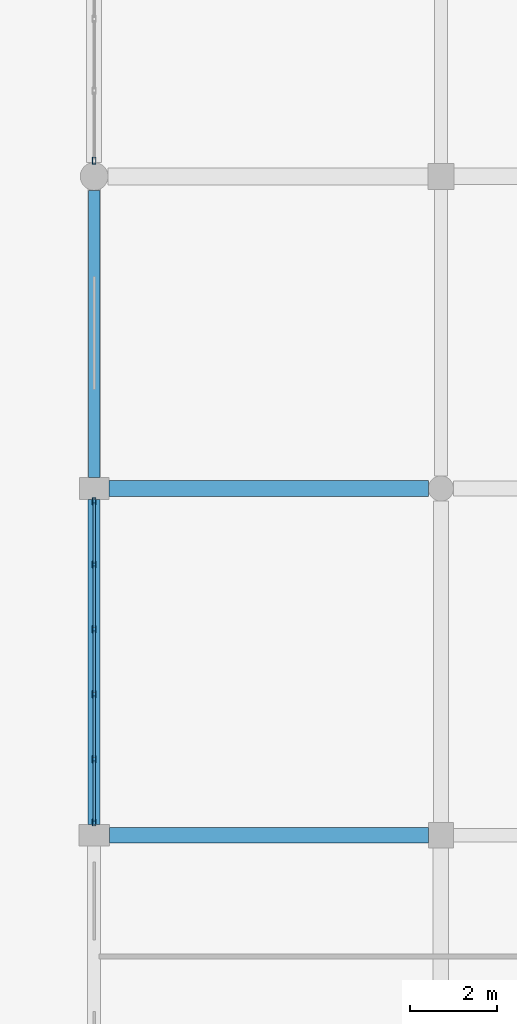
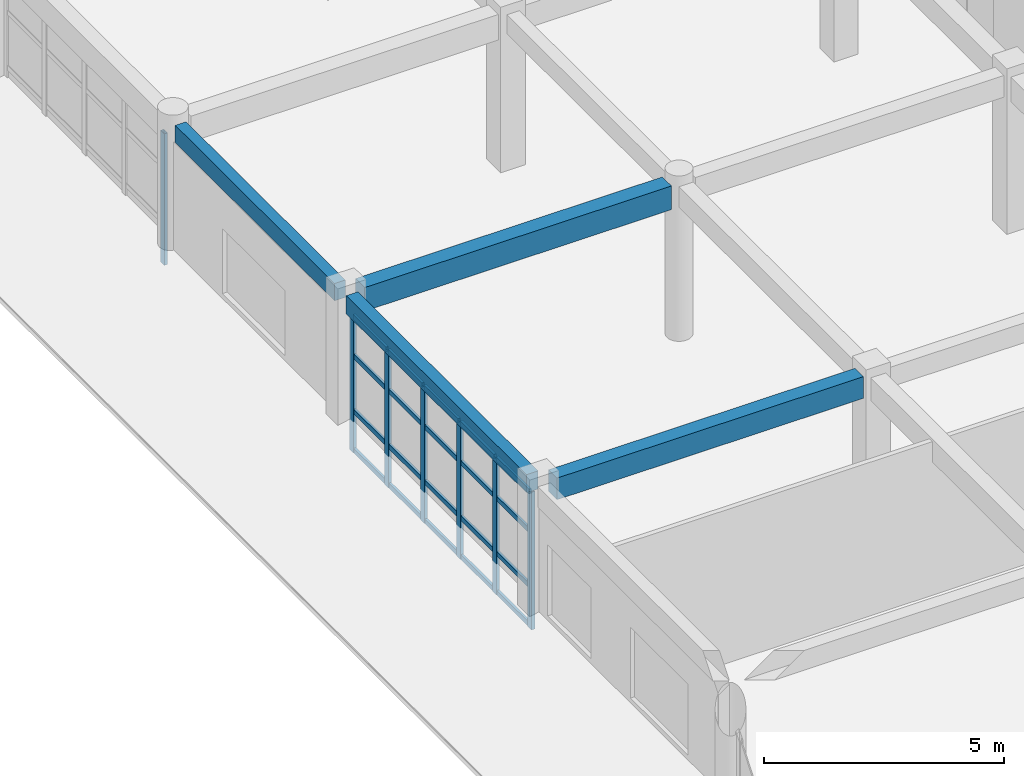
# One storey, part 76 of 121: 27 members, 4 beams, 2 elements without a shape of their own.
"""IFC4 building model written with IfcOpenShell, lengths in metres."""

from ifc_helpers import new_model, si_unit, direction, frame, origin, origin_2d, place, context, subcontext, project, spatial, rectangle, hollow_rectangle, extrude, material, material_profile, profile_set, type_object, element, aggregate, save


model = new_model("IFC4")

# Units and contexts
model_context = context("Model", 3, precision=1e-05, world=origin(), true_north=direction((0.0, 1.0)))
body_context = subcontext(model_context, "Body", "Model", "MODEL_VIEW")
ifc_project = project(units=[si_unit("LENGTHUNIT", "METRE"), si_unit("AREAUNIT", "SQUARE_METRE"), si_unit("VOLUMEUNIT", "CUBIC_METRE"), si_unit("PLANEANGLEUNIT", "RADIAN"), si_unit("MASSUNIT", "GRAM", prefix="KILO")], contexts=[model_context])

# Site, building, storey
site_placement = place(None, origin())
site = spatial("IfcSite", under=ifc_project, at=site_placement, CompositionType="ELEMENT")
building_placement = place(site_placement, origin())
building = spatial("IfcBuilding", under=site, at=building_placement, Name="Kharva Crest Polytechnic", CompositionType="ELEMENT")
storey_placement = place(building_placement, frame((0.0, 0.0, 13.199951171875)))
storey = spatial("IfcBuildingStorey", under=building, at=storey_placement, Name="L03", CompositionType="ELEMENT", Elevation=13.199951171875)

# Beams
ifc_material_1 = material(Name="Concrete C35/45", Category="concrete")
ifc_material_profile_1 = material_profile(ifc_material_1, rectangle(XDim=0.35009765625, YDim=0.550048828125, at=origin_2d()), Name="RECT 350 X 550")
ifc_profile_set_1 = profile_set([ifc_material_profile_1], Name="Concrete C35/45")
beam_type_1 = type_object("IfcBeamType", Name="BM-RC-350X550", PredefinedType="BEAM", material=ifc_profile_set_1)
beam_1_placement = place(storey_placement, frame((153.14990234375, 70.800048828125, 3.68505859375), z_axis=(1.0, 0.0, 0.0), x_axis=(0.0, 1.0, 0.0)))
element("IfcBeam", 1, at=beam_1_placement, inside=storey, type_object=beam_type_1, Name="L03 Beam K/20-21", PredefinedType="BEAM", context=body_context, shape_type="SweptSolid", body=[
    extrude(rectangle(XDim=0.35009765625, YDim=0.550048828125, at=origin_2d()), origin(), (0.0, 0.0, 1.0), 7.360107421875),
])
ifc_material_profile_2 = material_profile(ifc_material_1, rectangle(XDim=0.3798828125, YDim=0.60009765625, at=origin_2d()), Name="RECT 380 X 600")
ifc_profile_set_2 = profile_set([ifc_material_profile_2], Name="Concrete C35/45")
beam_type_2 = type_object("IfcBeamType", Name="BM-RC-380X600", PredefinedType="BEAM", material=ifc_profile_set_2)
beam_2_placement = place(storey_placement, frame((153.139892578125, 78.800048828125, 3.66015625), z_axis=(1.0, 0.0, 0.0), x_axis=(0.0, 1.0, 0.0)))
element("IfcBeam", 2, at=beam_2_placement, inside=storey, type_object=beam_type_2, Name="L03 Beam L/20-21", PredefinedType="BEAM", context=body_context, shape_type="SweptSolid", body=[
    extrude(rectangle(XDim=0.3798828125, YDim=0.60009765625, at=origin_2d()), origin(), (0.0, 0.0, 1.0), 7.3701171875),
])

# Curtain wall, member
ifc_material_2 = material(Name="Tempered insulated glass", Category="glass")
curtain_wall_type = type_object("IfcCurtainWallType", Name="CW-SYS-COURT", PredefinedType="USERDEFINED", material=ifc_material_2)
curtain_wall_1_placement = place(storey_placement, origin())
curtain_wall_1 = element("IfcCurtainWall", 3, at=curtain_wall_1_placement, inside=storey, type_object=curtain_wall_type, Name="L03 Glazed Curtain Wall CW-145", ObjectType="CURTAIN WALL", PredefinedType="USERDEFINED")
ifc_material_3 = material(Name="Steel S355", Category="steel")
ifc_material_profile_3 = material_profile(ifc_material_3, hollow_rectangle(XDim=0.080078125, YDim=0.159912109375, WallThickness=0.0048828125, at=origin_2d()), Name="RHS 160X80X5.0")
ifc_profile_set_3 = profile_set([ifc_material_profile_3], Name="Steel S355")
member_type_1 = type_object("IfcMemberType", Name="CWM-RHS160X80", PredefinedType="MULLION", material=ifc_profile_set_3)
member_1_placement = place(storey_placement, frame((152.800048828125, 86.364990234375, 0.0), z_axis=(0.0, 0.0, 1.0), x_axis=(1.0, 0.0, 0.0)))
member_1 = element("IfcMember", 4, at=member_1_placement, type_object=member_type_1, Name="CW-145 mullion 5", PredefinedType="MULLION", context=body_context, shape_type="SweptSolid", body=[
    extrude(hollow_rectangle(XDim=0.080078125, YDim=0.159912109375, WallThickness=0.0048828125, at=origin_2d()), origin(), (0.0, 0.0, 1.0), 3.340087890625),
])
aggregate(curtain_wall_1, [member_1])

# Curtain wall, members
curtain_wall_2_placement = place(storey_placement, origin())
curtain_wall_2 = element("IfcCurtainWall", 5, at=curtain_wall_2_placement, inside=storey, type_object=curtain_wall_type, Name="L03 Glazed Curtain Wall CW-146", ObjectType="CURTAIN WALL", PredefinedType="USERDEFINED")
member_2_placement = place(storey_placement, frame((152.800048828125, 78.5048828125, 0.0), z_axis=(0.0, 0.0, 1.0), x_axis=(1.0, 0.0, 0.0)))
member_2 = element("IfcMember", 6, at=member_2_placement, type_object=member_type_1, Name="CW-146 mullion 1", PredefinedType="MULLION", context=body_context, shape_type="SweptSolid", body=[
    extrude(hollow_rectangle(XDim=0.080078125, YDim=0.159912109375, WallThickness=0.0048828125, at=origin_2d()), origin(), (0.0, 0.0, 1.0), 3.5),
])
member_3_placement = place(storey_placement, frame((152.800048828125, 77.047119140625, 0.0), z_axis=(0.0, 0.0, 1.0), x_axis=(1.0, 0.0, 0.0)))
member_3 = element("IfcMember", 7, at=member_3_placement, type_object=member_type_1, Name="CW-146 mullion 2", PredefinedType="MULLION", context=body_context, shape_type="SweptSolid", body=[
    extrude(hollow_rectangle(XDim=0.080078125, YDim=0.159912109375, WallThickness=0.0048828125, at=origin_2d()), origin(), (0.0, 0.0, 1.0), 3.5),
])
member_4_placement = place(storey_placement, frame((152.800048828125, 75.549072265625, 0.0), z_axis=(0.0, 0.0, 1.0), x_axis=(1.0, 0.0, 0.0)))
member_4 = element("IfcMember", 8, at=member_4_placement, type_object=member_type_1, Name="CW-146 mullion 3", PredefinedType="MULLION", context=body_context, shape_type="SweptSolid", body=[
    extrude(hollow_rectangle(XDim=0.080078125, YDim=0.159912109375, WallThickness=0.0048828125, at=origin_2d()), origin(), (0.0, 0.0, 1.0), 3.5),
])
member_5_placement = place(storey_placement, frame((152.800048828125, 74.051025390625, 0.0), z_axis=(0.0, 0.0, 1.0), x_axis=(1.0, 0.0, 0.0)))
member_5 = element("IfcMember", 9, at=member_5_placement, type_object=member_type_1, Name="CW-146 mullion 4", PredefinedType="MULLION", context=body_context, shape_type="SweptSolid", body=[
    extrude(hollow_rectangle(XDim=0.080078125, YDim=0.159912109375, WallThickness=0.0048828125, at=origin_2d()), origin(), (0.0, 0.0, 1.0), 3.5),
])
member_6_placement = place(storey_placement, frame((152.800048828125, 72.552978515625, 0.0), z_axis=(0.0, 0.0, 1.0), x_axis=(1.0, 0.0, 0.0)))
member_6 = element("IfcMember", 10, at=member_6_placement, type_object=member_type_1, Name="CW-146 mullion 5", PredefinedType="MULLION", context=body_context, shape_type="SweptSolid", body=[
    extrude(hollow_rectangle(XDim=0.080078125, YDim=0.159912109375, WallThickness=0.0048828125, at=origin_2d()), origin(), (0.0, 0.0, 1.0), 3.5),
])
member_7_placement = place(storey_placement, frame((152.800048828125, 71.094970703125, 0.0), z_axis=(0.0, 0.0, 1.0), x_axis=(1.0, 0.0, 0.0)))
member_7 = element("IfcMember", 11, at=member_7_placement, type_object=member_type_1, Name="CW-146 mullion 6", PredefinedType="MULLION", context=body_context, shape_type="SweptSolid", body=[
    extrude(hollow_rectangle(XDim=0.080078125, YDim=0.159912109375, WallThickness=0.0048828125, at=origin_2d()), origin(), (0.0, 0.0, 1.0), 3.5),
])
ifc_material_profile_4 = material_profile(ifc_material_3, hollow_rectangle(XDim=0.06005859375, YDim=0.1201171875, WallThickness=0.00390625, at=origin_2d()), Name="RHS 120X60X4.0")
ifc_profile_set_4 = profile_set([ifc_material_profile_4], Name="Steel S355")
member_type_2 = type_object("IfcMemberType", Name="CWT-RHS120X60", PredefinedType="USERDEFINED", material=ifc_profile_set_4)
member_8_placement = place(storey_placement, frame((152.800048828125, 78.465087890625, 0.06005859375), z_axis=(0.0, -1.0, 0.0), x_axis=(1.0, 0.0, 0.0)))
member_8 = element("IfcMember", 12, at=member_8_placement, type_object=member_type_2, Name="CW-146 transom 1.1", ObjectType="TRANSOM", PredefinedType="USERDEFINED", context=body_context, shape_type="SweptSolid", body=[
    extrude(hollow_rectangle(XDim=0.06005859375, YDim=0.1201171875, WallThickness=0.00390625, at=origin_2d()), origin(), (0.0, 0.0, 1.0), 1.378173828125),
])
member_9_placement = place(storey_placement, frame((152.800048828125, 78.465087890625, 1.050048828125), z_axis=(0.0, -1.0, 0.0), x_axis=(1.0, 0.0, 0.0)))
member_9 = element("IfcMember", 13, at=member_9_placement, type_object=member_type_2, Name="CW-146 transom 1.2", ObjectType="TRANSOM", PredefinedType="USERDEFINED", context=body_context, shape_type="SweptSolid", body=[
    extrude(hollow_rectangle(XDim=0.06005859375, YDim=0.1201171875, WallThickness=0.00390625, at=origin_2d()), origin(), (0.0, 0.0, 1.0), 1.378173828125),
])
member_10_placement = place(storey_placement, frame((152.800048828125, 78.465087890625, 2.449951171875), z_axis=(0.0, -1.0, 0.0), x_axis=(1.0, 0.0, 0.0)))
member_10 = element("IfcMember", 14, at=member_10_placement, type_object=member_type_2, Name="CW-146 transom 1.3", ObjectType="TRANSOM", PredefinedType="USERDEFINED", context=body_context, shape_type="SweptSolid", body=[
    extrude(hollow_rectangle(XDim=0.06005859375, YDim=0.1201171875, WallThickness=0.00390625, at=origin_2d()), origin(), (0.0, 0.0, 1.0), 1.378173828125),
])
member_11_placement = place(storey_placement, frame((152.800048828125, 78.465087890625, 3.43994140625), z_axis=(0.0, -1.0, 0.0), x_axis=(1.0, 0.0, 0.0)))
member_11 = element("IfcMember", 15, at=member_11_placement, type_object=member_type_2, Name="CW-146 transom 1.4", ObjectType="TRANSOM", PredefinedType="USERDEFINED", context=body_context, shape_type="SweptSolid", body=[
    extrude(hollow_rectangle(XDim=0.06005859375, YDim=0.1201171875, WallThickness=0.00390625, at=origin_2d()), origin(), (0.0, 0.0, 1.0), 1.378173828125),
])
member_12_placement = place(storey_placement, frame((152.800048828125, 77.007080078125, 0.06005859375), z_axis=(0.0, -1.0, 0.0), x_axis=(1.0, 0.0, 0.0)))
member_12 = element("IfcMember", 16, at=member_12_placement, type_object=member_type_2, Name="CW-146 transom 2.1", ObjectType="TRANSOM", PredefinedType="USERDEFINED", context=body_context, shape_type="SweptSolid", body=[
    extrude(hollow_rectangle(XDim=0.06005859375, YDim=0.1201171875, WallThickness=0.00390625, at=origin_2d()), origin(), (0.0, 0.0, 1.0), 1.41796875),
])
member_13_placement = place(storey_placement, frame((152.800048828125, 77.007080078125, 1.050048828125), z_axis=(0.0, -1.0, 0.0), x_axis=(1.0, 0.0, 0.0)))
member_13 = element("IfcMember", 17, at=member_13_placement, type_object=member_type_2, Name="CW-146 transom 2.2", ObjectType="TRANSOM", PredefinedType="USERDEFINED", context=body_context, shape_type="SweptSolid", body=[
    extrude(hollow_rectangle(XDim=0.06005859375, YDim=0.1201171875, WallThickness=0.00390625, at=origin_2d()), origin(), (0.0, 0.0, 1.0), 1.41796875),
])
member_14_placement = place(storey_placement, frame((152.800048828125, 77.007080078125, 2.449951171875), z_axis=(0.0, -1.0, 0.0), x_axis=(1.0, 0.0, 0.0)))
member_14 = element("IfcMember", 18, at=member_14_placement, type_object=member_type_2, Name="CW-146 transom 2.3", ObjectType="TRANSOM", PredefinedType="USERDEFINED", context=body_context, shape_type="SweptSolid", body=[
    extrude(hollow_rectangle(XDim=0.06005859375, YDim=0.1201171875, WallThickness=0.00390625, at=origin_2d()), origin(), (0.0, 0.0, 1.0), 1.41796875),
])
member_15_placement = place(storey_placement, frame((152.800048828125, 77.007080078125, 3.43994140625), z_axis=(0.0, -1.0, 0.0), x_axis=(1.0, 0.0, 0.0)))
member_15 = element("IfcMember", 19, at=member_15_placement, type_object=member_type_2, Name="CW-146 transom 2.4", ObjectType="TRANSOM", PredefinedType="USERDEFINED", context=body_context, shape_type="SweptSolid", body=[
    extrude(hollow_rectangle(XDim=0.06005859375, YDim=0.1201171875, WallThickness=0.00390625, at=origin_2d()), origin(), (0.0, 0.0, 1.0), 1.41796875),
])
member_16_placement = place(storey_placement, frame((152.800048828125, 75.509033203125, 0.06005859375), z_axis=(0.0, -1.0, 0.0), x_axis=(1.0, 0.0, 0.0)))
member_16 = element("IfcMember", 20, at=member_16_placement, type_object=member_type_2, Name="CW-146 transom 3.1", ObjectType="TRANSOM", PredefinedType="USERDEFINED", context=body_context, shape_type="SweptSolid", body=[
    extrude(hollow_rectangle(XDim=0.06005859375, YDim=0.1201171875, WallThickness=0.00390625, at=origin_2d()), origin(), (0.0, 0.0, 1.0), 1.41796875),
])
member_17_placement = place(storey_placement, frame((152.800048828125, 75.509033203125, 1.050048828125), z_axis=(0.0, -1.0, 0.0), x_axis=(1.0, 0.0, 0.0)))
member_17 = element("IfcMember", 21, at=member_17_placement, type_object=member_type_2, Name="CW-146 transom 3.2", ObjectType="TRANSOM", PredefinedType="USERDEFINED", context=body_context, shape_type="SweptSolid", body=[
    extrude(hollow_rectangle(XDim=0.06005859375, YDim=0.1201171875, WallThickness=0.00390625, at=origin_2d()), origin(), (0.0, 0.0, 1.0), 1.41796875),
])
member_18_placement = place(storey_placement, frame((152.800048828125, 75.509033203125, 2.449951171875), z_axis=(0.0, -1.0, 0.0), x_axis=(1.0, 0.0, 0.0)))
member_18 = element("IfcMember", 22, at=member_18_placement, type_object=member_type_2, Name="CW-146 transom 3.3", ObjectType="TRANSOM", PredefinedType="USERDEFINED", context=body_context, shape_type="SweptSolid", body=[
    extrude(hollow_rectangle(XDim=0.06005859375, YDim=0.1201171875, WallThickness=0.00390625, at=origin_2d()), origin(), (0.0, 0.0, 1.0), 1.41796875),
])
member_19_placement = place(storey_placement, frame((152.800048828125, 75.509033203125, 3.43994140625), z_axis=(0.0, -1.0, 0.0), x_axis=(1.0, 0.0, 0.0)))
member_19 = element("IfcMember", 23, at=member_19_placement, type_object=member_type_2, Name="CW-146 transom 3.4", ObjectType="TRANSOM", PredefinedType="USERDEFINED", context=body_context, shape_type="SweptSolid", body=[
    extrude(hollow_rectangle(XDim=0.06005859375, YDim=0.1201171875, WallThickness=0.00390625, at=origin_2d()), origin(), (0.0, 0.0, 1.0), 1.41796875),
])
member_20_placement = place(storey_placement, frame((152.800048828125, 74.010986328125, 0.06005859375), z_axis=(0.0, -1.0, 0.0), x_axis=(1.0, 0.0, 0.0)))
member_20 = element("IfcMember", 24, at=member_20_placement, type_object=member_type_2, Name="CW-146 transom 4.1", ObjectType="TRANSOM", PredefinedType="USERDEFINED", context=body_context, shape_type="SweptSolid", body=[
    extrude(hollow_rectangle(XDim=0.06005859375, YDim=0.1201171875, WallThickness=0.00390625, at=origin_2d()), origin(), (0.0, 0.0, 1.0), 1.41796875),
])
member_21_placement = place(storey_placement, frame((152.800048828125, 74.010986328125, 1.050048828125), z_axis=(0.0, -1.0, 0.0), x_axis=(1.0, 0.0, 0.0)))
member_21 = element("IfcMember", 25, at=member_21_placement, type_object=member_type_2, Name="CW-146 transom 4.2", ObjectType="TRANSOM", PredefinedType="USERDEFINED", context=body_context, shape_type="SweptSolid", body=[
    extrude(hollow_rectangle(XDim=0.06005859375, YDim=0.1201171875, WallThickness=0.00390625, at=origin_2d()), origin(), (0.0, 0.0, 1.0), 1.41796875),
])
member_22_placement = place(storey_placement, frame((152.800048828125, 74.010986328125, 2.449951171875), z_axis=(0.0, -1.0, 0.0), x_axis=(1.0, 0.0, 0.0)))
member_22 = element("IfcMember", 26, at=member_22_placement, type_object=member_type_2, Name="CW-146 transom 4.3", ObjectType="TRANSOM", PredefinedType="USERDEFINED", context=body_context, shape_type="SweptSolid", body=[
    extrude(hollow_rectangle(XDim=0.06005859375, YDim=0.1201171875, WallThickness=0.00390625, at=origin_2d()), origin(), (0.0, 0.0, 1.0), 1.41796875),
])
member_23_placement = place(storey_placement, frame((152.800048828125, 74.010986328125, 3.43994140625), z_axis=(0.0, -1.0, 0.0), x_axis=(1.0, 0.0, 0.0)))
member_23 = element("IfcMember", 27, at=member_23_placement, type_object=member_type_2, Name="CW-146 transom 4.4", ObjectType="TRANSOM", PredefinedType="USERDEFINED", context=body_context, shape_type="SweptSolid", body=[
    extrude(hollow_rectangle(XDim=0.06005859375, YDim=0.1201171875, WallThickness=0.00390625, at=origin_2d()), origin(), (0.0, 0.0, 1.0), 1.41796875),
])
member_24_placement = place(storey_placement, frame((152.800048828125, 72.512939453125, 0.06005859375), z_axis=(0.0, -1.0, 0.0), x_axis=(1.0, 0.0, 0.0)))
member_24 = element("IfcMember", 28, at=member_24_placement, type_object=member_type_2, Name="CW-146 transom 5.1", ObjectType="TRANSOM", PredefinedType="USERDEFINED", context=body_context, shape_type="SweptSolid", body=[
    extrude(hollow_rectangle(XDim=0.06005859375, YDim=0.1201171875, WallThickness=0.00390625, at=origin_2d()), origin(), (0.0, 0.0, 1.0), 1.3779296875),
])
member_25_placement = place(storey_placement, frame((152.800048828125, 72.512939453125, 1.050048828125), z_axis=(0.0, -1.0, 0.0), x_axis=(1.0, 0.0, 0.0)))
member_25 = element("IfcMember", 29, at=member_25_placement, type_object=member_type_2, Name="CW-146 transom 5.2", ObjectType="TRANSOM", PredefinedType="USERDEFINED", context=body_context, shape_type="SweptSolid", body=[
    extrude(hollow_rectangle(XDim=0.06005859375, YDim=0.1201171875, WallThickness=0.00390625, at=origin_2d()), origin(), (0.0, 0.0, 1.0), 1.3779296875),
])
member_26_placement = place(storey_placement, frame((152.800048828125, 72.512939453125, 2.449951171875), z_axis=(0.0, -1.0, 0.0), x_axis=(1.0, 0.0, 0.0)))
member_26 = element("IfcMember", 30, at=member_26_placement, type_object=member_type_2, Name="CW-146 transom 5.3", ObjectType="TRANSOM", PredefinedType="USERDEFINED", context=body_context, shape_type="SweptSolid", body=[
    extrude(hollow_rectangle(XDim=0.06005859375, YDim=0.1201171875, WallThickness=0.00390625, at=origin_2d()), origin(), (0.0, 0.0, 1.0), 1.3779296875),
])
member_27_placement = place(storey_placement, frame((152.800048828125, 72.512939453125, 3.43994140625), z_axis=(0.0, -1.0, 0.0), x_axis=(1.0, 0.0, 0.0)))
member_27 = element("IfcMember", 31, at=member_27_placement, type_object=member_type_2, Name="CW-146 transom 5.4", ObjectType="TRANSOM", PredefinedType="USERDEFINED", context=body_context, shape_type="SweptSolid", body=[
    extrude(hollow_rectangle(XDim=0.06005859375, YDim=0.1201171875, WallThickness=0.00390625, at=origin_2d()), origin(), (0.0, 0.0, 1.0), 1.3779296875),
])
aggregate(curtain_wall_2, [member_2, member_3, member_4, member_5, member_6, member_7, member_8, member_9, member_10, member_11, member_12, member_13, member_14, member_15, member_16, member_17, member_18, member_19, member_20, member_21, member_22, member_23, member_24, member_25, member_26, member_27])

# Beams
ifc_material_profile_5 = material_profile(ifc_material_1, rectangle(XDim=0.260009765625, YDim=0.43994140625, at=origin_2d()), Name="RECT 260 X 440")
ifc_profile_set_5 = profile_set([ifc_material_profile_5], Name="Concrete C35/45")
beam_type_3 = type_object("IfcBeamType", Name="SP-RC-260X440", PredefinedType="SPANDREL", material=ifc_profile_set_5)
beam_3_placement = place(storey_placement, frame((152.800048828125, 79.050048828125, 3.739990234375), z_axis=(0.0, 1.0, 0.0), x_axis=(-1.0, 0.0, 0.0)))
element("IfcBeam", 32, at=beam_3_placement, inside=storey, type_object=beam_type_3, Name="L03 Girder 20/L-M", PredefinedType="SPANDREL", context=body_context, shape_type="SweptSolid", body=[
    extrude(rectangle(XDim=0.260009765625, YDim=0.43994140625, at=origin_2d()), origin(), (0.0, 0.0, 1.0), 6.6298828125),
])
ifc_material_profile_6 = material_profile(ifc_material_1, rectangle(XDim=0.280029296875, YDim=0.4599609375, at=origin_2d()), Name="RECT 280 X 460")
ifc_profile_set_6 = profile_set([ifc_material_profile_6], Name="Concrete C35/45")
beam_type_4 = type_object("IfcBeamType", Name="SP-RC-280X460", PredefinedType="SPANDREL", material=ifc_profile_set_6)
beam_4_placement = place(storey_placement, frame((152.800048828125, 71.050048828125, 3.72998046875), z_axis=(0.0, 1.0, 0.0), x_axis=(-1.0, 0.0, 0.0)))
element("IfcBeam", 33, at=beam_4_placement, inside=storey, type_object=beam_type_4, Name="L03 Girder 20/K-L", PredefinedType="SPANDREL", context=body_context, shape_type="SweptSolid", body=[
    extrude(rectangle(XDim=0.280029296875, YDim=0.4599609375, at=origin_2d()), origin(), (0.0, 0.0, 1.0), 7.5),
])

save(model, "model.ifc")
